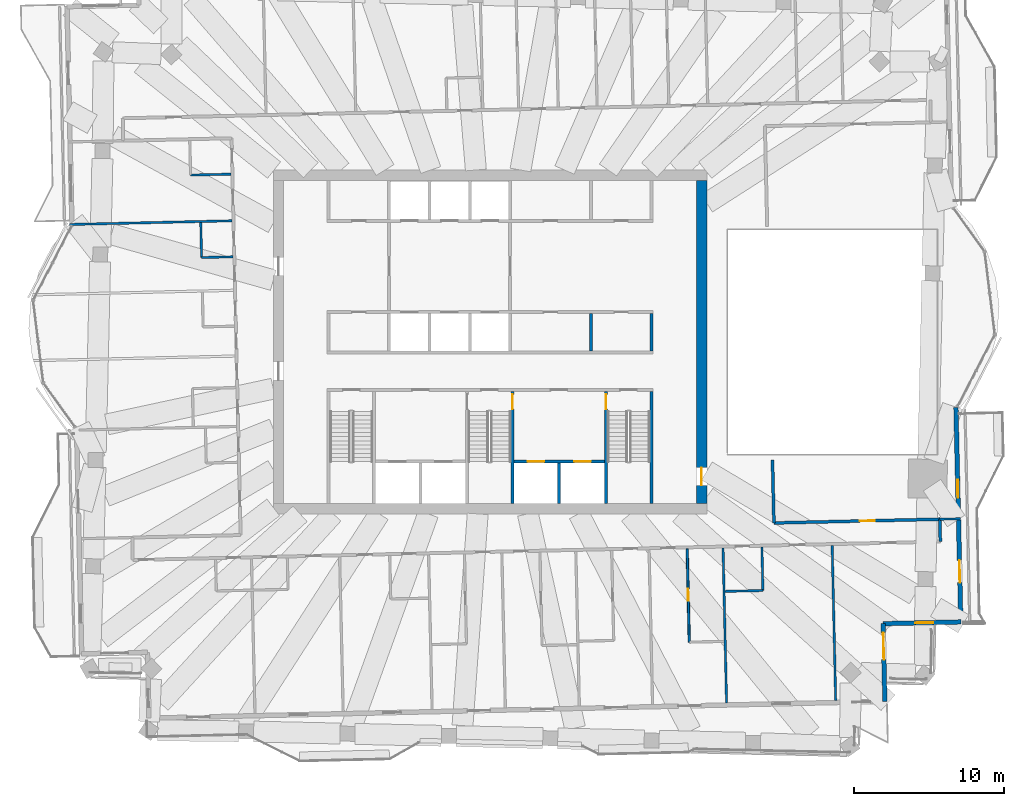
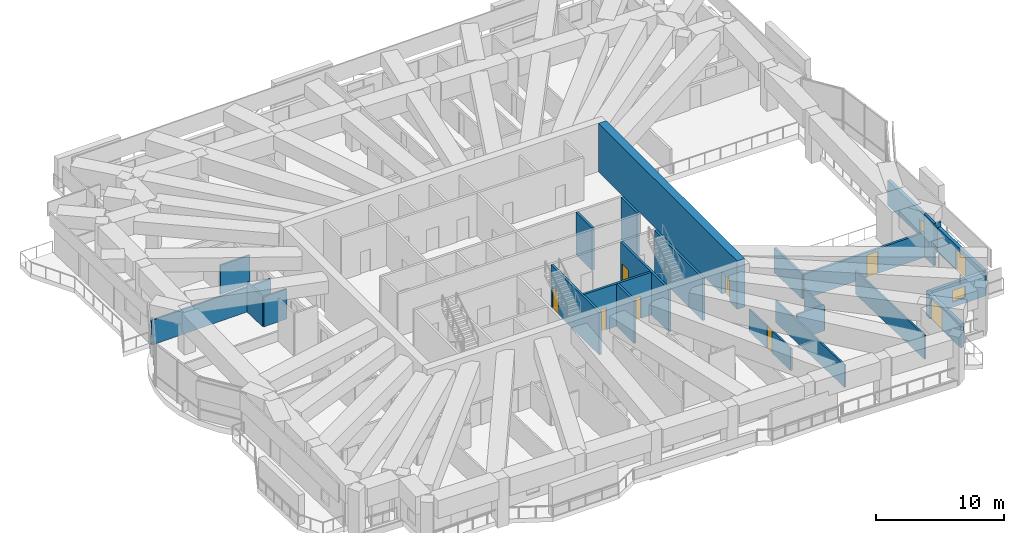
# One storey, part 14 of 21: 24 walls, 9 doors, 2 windows, 11 openings.
"""IFC4 building model written with IfcOpenShell, lengths in metres."""

import ifcopenshell
import ifcopenshell.guid

model = None  # the IFC model being written
_history = None  # IfcOwnerHistory: only IFC2X3 demands one
_inside = {}  # id of a spatial element -> (the spatial element, [elements in it])
_under = {}  # id of a project, library or spatial element -> (it, [spatial elements below it])
_declared = {}  # id of a project -> (the project, [libraries it declares])
_typed = {}  # id of a type object -> (the type object, [elements of that type])
_made_of = {}  # id of a material, layer set ... -> (it, [elements and type objects made of it])


def new_model(schema):
    """Start an empty IFC model of exactly this schema.

    Asked for "IFC4X3", IfcOpenShell would pick the latest addendum, in which some entities
    have other attributes; the version numbers below select the first issue.
    IFC2X3 requires an IfcOwnerHistory on every rooted entity: one is made here for all.
    """
    global model, _history
    if schema == "IFC4X3":
        model = ifcopenshell.file(schema_version=(4, 3, 0, 0))
    else:
        model = ifcopenshell.file(schema=schema)
    _inside.clear()
    _under.clear()
    _declared.clear()
    _typed.clear()
    _made_of.clear()
    _history = None
    if model.schema == "IFC2X3":
        org = make("IfcOrganization", Name="unknown")
        user = make(
            "IfcPersonAndOrganization",
            ThePerson=make("IfcPerson", FamilyName="unknown"),
            TheOrganization=org,
        )
        app = make(
            "IfcApplication",
            ApplicationDeveloper=org,
            Version="unknown",
            ApplicationFullName="unknown",
            ApplicationIdentifier="unknown",
        )
        _history = make(
            "IfcOwnerHistory",
            OwningUser=user,
            OwningApplication=app,
            ChangeAction="ADDED",
            CreationDate=0,
        )
    return model


def make(cls, **values):
    """One entity of the class cls with the attributes given. An attribute that is None is left unset."""
    return model.create_entity(
        cls, **{name: value for name, value in values.items() if value is not None}
    )


def rooted(cls, **values):
    """An entity with a GlobalId (a new one), such as an element, a storey or a relation."""
    return make(cls, GlobalId=ifcopenshell.guid.new(), OwnerHistory=_history, **values)


def si_unit(unit_type, name, prefix=None):
    """IfcSIUnit, for example si_unit("LENGTHUNIT", "METRE", prefix="MILLI")."""
    return make("IfcSIUnit", UnitType=unit_type, Prefix=prefix, Name=name)


def assignment(units):
    """IfcUnitAssignment: the units of a project."""
    return None if units is None else make("IfcUnitAssignment", Units=units)


def point(xyz):
    """IfcCartesianPoint."""
    return None if xyz is None else make("IfcCartesianPoint", Coordinates=xyz)


def direction(xyz):
    """IfcDirection."""
    return None if xyz is None else make("IfcDirection", DirectionRatios=xyz)


def frame(location, z_axis=None, x_axis=None):
    """IfcAxis2Placement3D, a coordinate frame: its origin and axes. An axis left out is left unset."""
    return make(
        "IfcAxis2Placement3D",
        Location=point(location),
        Axis=direction(z_axis),
        RefDirection=direction(x_axis),
    )


def frame_2d(location, x_axis=None):
    """IfcAxis2Placement2D, a coordinate frame in the plane: its origin and x axis."""
    return make(
        "IfcAxis2Placement2D", Location=point(location), RefDirection=direction(x_axis)
    )


def origin():
    """The frame at (0, 0, 0) with its axes left unset."""
    return frame((0.0, 0.0, 0.0))


def place(relative_to, where):
    """IfcLocalPlacement: puts the frame where relative to a parent placement (None: the world)."""
    return make(
        "IfcLocalPlacement", PlacementRelTo=relative_to, RelativePlacement=where
    )


def context(
    kind, dimensions, precision=None, world=None, true_north=None, identifier=None
):
    """IfcGeometricRepresentationContext, for example the 3D "Model" context."""
    return make(
        "IfcGeometricRepresentationContext",
        ContextIdentifier=identifier,
        ContextType=kind,
        CoordinateSpaceDimension=dimensions,
        Precision=precision,
        WorldCoordinateSystem=world,
        TrueNorth=true_north,
    )


def subcontext(parent, identifier, kind, view, scale=None):
    """IfcGeometricRepresentationSubContext, for example "Body" below "Model"."""
    return make(
        "IfcGeometricRepresentationSubContext",
        ContextIdentifier=identifier,
        ContextType=kind,
        ParentContext=parent,
        TargetScale=scale,
        TargetView=view,
    )


def project(units=None, contexts=None):
    """IfcProject with its units and contexts."""
    return rooted(
        "IfcProject",
        Name="project",
        RepresentationContexts=contexts,
        UnitsInContext=assignment(units),
    )


def spatial(cls, under=None, at=None, **own):
    """A site, building, storey or space (cls), placed at a placement, below another one or the project."""
    s = rooted(cls, ObjectPlacement=at, **own)
    if under is not None:
        _under.setdefault(under.id(), (under, []))[1].append(s)
    return s


def profile(cls, at=None, kind="AREA", **sizes):
    """A parametric profile (cls). Its sizes go by their IFC names, for example OverallWidth=200.0."""
    return make(cls, ProfileType=kind, Position=at, **sizes)


def rectangle(**sizes):
    """IfcRectangleProfileDef."""
    return profile("IfcRectangleProfileDef", **sizes)


def extrude(swept, where, along, depth):
    """IfcExtrudedAreaSolid: the profile swept, set in the frame where, extruded along a direction by depth."""
    return make(
        "IfcExtrudedAreaSolid",
        SweptArea=swept,
        Position=where,
        ExtrudedDirection=direction(along),
        Depth=depth,
    )


def shape(context_of_items, identifier, shape_type, items):
    """IfcShapeRepresentation: the items that make up one representation, for example the "Body"."""
    return make(
        "IfcShapeRepresentation",
        ContextOfItems=context_of_items,
        RepresentationIdentifier=identifier,
        RepresentationType=shape_type,
        Items=items,
    )


def material(Name=None, Category=None):
    """IfcMaterial."""
    return make("IfcMaterial", Name=Name, Category=Category)


def layer(
    of_material, thickness, ventilated=None, Name=None, Category=None, Priority=None
):
    """IfcMaterialLayer: one layer of a wall or slab, of a material (None: an air gap)."""
    return make(
        "IfcMaterialLayer",
        Material=of_material,
        LayerThickness=thickness,
        IsVentilated=ventilated,
        Name=Name,
        Category=Category,
        Priority=Priority,
    )


def layer_set(layers, Name=None):
    """IfcMaterialLayerSet."""
    return make("IfcMaterialLayerSet", MaterialLayers=layers, LayerSetName=Name)


def made_of(thing, what):
    """Note that an element or type object is made of a material, layer set ...; save() writes the relation."""
    if what is not None:
        _made_of.setdefault(what.id(), (what, []))[1].append(thing)
    return thing


def type_object(cls, material=None, **own):
    """A type object (cls), such as IfcWallType, which elements share."""
    return made_of(rooted(cls, **own), material)


def element(
    cls,
    number,
    at=None,
    inside=None,
    cuts=None,
    type_object=None,
    material=None,
    context=None,
    identifier="Body",
    shape_type=None,
    held_by="IfcProductDefinitionShape",
    body=None,
    shapes=None,
    **own,
):
    """One element of the class cls, such as IfcWall. Its Tag is "e" and its number.

    at: its placement. inside: the storey or other place that contains it. cuts: it is an
    opening in that element (IfcRelVoidsElement). A single representation is given by context,
    identifier, shape_type and body (its items); several are given by shapes. held_by: the class
    of the entity that holds the representations. save() writes the other relations.
    """
    e = rooted(cls, Tag="e%d" % number, ObjectPlacement=at, **own)
    if body is not None:
        shapes = [shape(context, identifier, shape_type, body)]
    if shapes is not None:
        e.Representation = make(held_by, Representations=shapes)
    if inside is not None:
        _inside.setdefault(inside.id(), (inside, []))[1].append(e)
    if cuts is not None:
        rooted(
            "IfcRelVoidsElement", RelatingBuildingElement=cuts, RelatedOpeningElement=e
        )
    if type_object is not None:
        _typed.setdefault(type_object.id(), (type_object, []))[1].append(e)
    return made_of(e, material)


def fill(opening, filler):
    """IfcRelFillsElement: the door or window that sits in an opening."""
    return rooted(
        "IfcRelFillsElement",
        RelatingOpeningElement=opening,
        RelatedBuildingElement=filler,
    )


def aggregate(whole, parts):
    """IfcRelAggregates: a whole, such as a stair, and the parts it consists of."""
    return rooted("IfcRelAggregates", RelatingObject=whole, RelatedObjects=parts)


def save(model, path):
    """Write the relations noted so far, then the file.

    IfcRelAggregates (storeys below a building ...), IfcRelContainedInSpatialStructure (elements
    in a storey), IfcRelDefinesByType, IfcRelAssociatesMaterial and IfcRelDeclares: one each for
    every whole, place, type object, material and project.
    """
    for whole, parts in _under.values():
        aggregate(whole, parts)
    for where, things in _inside.values():
        rooted(
            "IfcRelContainedInSpatialStructure",
            RelatedElements=things,
            RelatingStructure=where,
        )
    for kind, things in _typed.values():
        rooted("IfcRelDefinesByType", RelatedObjects=things, RelatingType=kind)
    for what, things in _made_of.values():
        rooted("IfcRelAssociatesMaterial", RelatedObjects=things, RelatingMaterial=what)
    for by, libraries in _declared.values():
        rooted("IfcRelDeclares", RelatingContext=by, RelatedDefinitions=libraries)
    model.write(path)


model = new_model("IFC4")

# Units and contexts
model_context = context("Model", 3, precision=1e-05, world=origin(), true_north=direction((0.0, 1.0)))
body_context = subcontext(model_context, "Body", "Model", "MODEL_VIEW")
ifc_project = project(units=[si_unit("LENGTHUNIT", "METRE"), si_unit("AREAUNIT", "SQUARE_METRE"), si_unit("VOLUMEUNIT", "CUBIC_METRE"), si_unit("PLANEANGLEUNIT", "RADIAN"), si_unit("MASSUNIT", "GRAM", prefix="KILO")], contexts=[model_context])

# Site, building, storey
site_placement = place(None, origin())
site = spatial("IfcSite", under=ifc_project, at=site_placement, CompositionType="ELEMENT")
building_placement = place(site_placement, origin())
building = spatial("IfcBuilding", under=site, at=building_placement, Name="Mangrove Gate Tower", CompositionType="ELEMENT")
storey_placement = place(building_placement, frame((0.0, 0.0, 275.300048828125)))
storey = spatial("IfcBuildingStorey", under=building, at=storey_placement, Name="L70", CompositionType="ELEMENT", Elevation=275.300048828125)

# Walls
ifc_material_1 = material(Name="Concrete C32/40", Category="concrete")
ifc_layer_1 = layer(ifc_material_1, 0.199951171875)
ifc_layer_set_1 = layer_set([ifc_layer_1], Name="Core room wall 200 C32/40")
wall_type_1 = type_object("IfcWallType", Name="Core room wall 200 C32/40", PredefinedType="STANDARD", material=ifc_layer_set_1)
for number, where, z_axis, x_axis, name in (
    (1, (6.75, -0.60009765625, 0.0), (0.0, 0.0, 1.0), (0.0, 1.0, 0.0), "WALL-L70-CORE-24"),
    (2, (10.800048828125, -0.60009765625, 0.0), (0.0, 0.0, 1.0), (0.0, 1.0, 0.0), "WALL-L70-CORE-25"),
):
    element("IfcWall", number, at=place(storey_placement, frame(where, z_axis=z_axis, x_axis=x_axis)), inside=storey, type_object=wall_type_1, Name=name, PredefinedType="STANDARD", context=body_context, shape_type="SweptSolid", body=[
        extrude(rectangle(XDim=2.5, YDim=0.199951171875, at=frame_2d((1.25, 0.0))), origin(), (0.0, 0.0, 1.0), 4.050048828125),
    ])

# Wall, openings, doors
ifc_material_2 = material(Name="Concrete C50/60", Category="concrete")
ifc_layer_2 = layer(ifc_material_2, 0.199951171875)
ifc_layer_set_2 = layer_set([ifc_layer_2], Name="Core shaft wall 200 C50/60")
wall_type_2 = type_object("IfcWallType", Name="Core shaft wall 200 C50/60", PredefinedType="SHEAR", material=ifc_layer_set_2)
wall_1_placement = place(storey_placement, frame((1.60009765625, -8.0, 0.0), z_axis=(0.0, 0.0, 1.0), x_axis=(1.0, 0.0, 0.0)))
wall_1 = element("IfcWall", 3, at=wall_1_placement, inside=storey, type_object=wall_type_2, Name="WALL-L70-CORE-17", PredefinedType="SHEAR", context=body_context, shape_type="SweptSolid", body=[
    extrude(rectangle(XDim=6.0498046875, YDim=0.199951171875, at=frame_2d((3.02490234375, 0.0))), origin(), (0.0, 0.0, 1.0), 4.050048828125),
])
opening_1_placement = place(wall_1_placement, frame((0.91259765625, 0.0, 0.0)))
opening_1 = element("IfcOpeningElement", 4, at=opening_1_placement, cuts=wall_1, Name="Opening LD", PredefinedType="OPENING", context=body_context, shape_type="SweptSolid", body=[
    extrude(rectangle(XDim=1.10009765625, YDim=2.10009765625, at=frame_2d((0.550048828125, 1.050048828125))), frame((0.0, 0.10986328125, 0.0), z_axis=(0.0, -1.0, 0.0), x_axis=(1.0, 0.0, 0.0)), (0.0, 0.0, 1.0), 0.219970703125),
])
opening_2_placement = place(wall_1_placement, frame((4.03759765625, 0.0, 0.0)))
opening_2 = element("IfcOpeningElement", 5, at=opening_2_placement, cuts=wall_1, Name="Opening LD", PredefinedType="OPENING", context=body_context, shape_type="SweptSolid", body=[
    extrude(rectangle(XDim=1.10009765625, YDim=2.10009765625, at=frame_2d((0.550048828125, 1.050048828125))), frame((0.0, 0.10986328125, 0.0), z_axis=(0.0, -1.0, 0.0), x_axis=(1.0, 0.0, 0.0)), (0.0, 0.0, 1.0), 0.219970703125),
])
ifc_material_3 = material(Name="Stainless steel 316", Category="steel")
door_type_1 = type_object("IfcDoorType", Name="Lift landing door 1100x2100", OperationType="SLIDING_TO_LEFT", PredefinedType="DOOR", material=ifc_material_3)
door_1_placement = place(opening_1_placement, origin())
door_1 = element("IfcDoor", 6, at=door_1_placement, inside=storey, type_object=door_type_1, Name="Landing door LD FFL1", OperationType="SLIDING_TO_LEFT", OverallHeight=2.10009765625, OverallWidth=1.10009765625, PredefinedType="DOOR", context=body_context, shape_type="SweptSolid", body=[
    extrude(rectangle(XDim=1.10009765625, YDim=2.10009765625, at=frame_2d((0.550048828125, 1.050048828125))), frame((0.0, 0.02490234375, 0.0), z_axis=(0.0, -1.0, 0.0), x_axis=(1.0, 0.0, 0.0)), (0.0, 0.0, 1.0), 0.050048828125),
])
fill(opening_1, door_1)
door_2_placement = place(opening_2_placement, origin())
door_2 = element("IfcDoor", 7, at=door_2_placement, inside=storey, type_object=door_type_1, Name="Landing door LD FFL2", OperationType="SLIDING_TO_LEFT", OverallHeight=2.10009765625, OverallWidth=1.10009765625, PredefinedType="DOOR", context=body_context, shape_type="SweptSolid", body=[
    extrude(rectangle(XDim=1.10009765625, YDim=2.10009765625, at=frame_2d((0.550048828125, 1.050048828125))), frame((0.0, 0.02490234375, 0.0), z_axis=(0.0, -1.0, 0.0), x_axis=(1.0, 0.0, 0.0)), (0.0, 0.0, 1.0), 0.050048828125),
])
fill(opening_2, door_2)

# Wall
wall_2_placement = place(storey_placement, frame((4.625, -10.800048828125, 0.0), z_axis=(0.0, 0.0, 1.0), x_axis=(0.0, 1.0, 0.0)))
element("IfcWall", 8, at=wall_2_placement, inside=storey, type_object=wall_type_2, Name="WALL-L70-CORE-18", PredefinedType="SHEAR", context=body_context, shape_type="SweptSolid", body=[
    extrude(rectangle(XDim=2.699951171875, YDim=0.199951171875, at=frame_2d((1.35009765625, 0.0))), origin(), (0.0, 0.0, 1.0), 4.050048828125),
])

# Wall, opening, door
ifc_material_4 = material(Name="Concrete C50/60", Category="concrete")
ifc_layer_3 = layer(ifc_material_4, 0.199951171875)
ifc_layer_set_3 = layer_set([ifc_layer_3], Name="Core stair wall 200 C50/60")
wall_type_3 = type_object("IfcWallType", Name="Core stair wall 200 C50/60", PredefinedType="SHEAR", material=ifc_layer_set_3)
wall_3_placement = place(storey_placement, frame((1.5, -10.800048828125, 0.0), z_axis=(0.0, 0.0, 1.0), x_axis=(0.0, 1.0, 0.0)))
wall_3 = element("IfcWall", 9, at=wall_3_placement, inside=storey, type_object=wall_type_3, Name="WALL-L70-CORE-12", PredefinedType="SHEAR", context=body_context, shape_type="SweptSolid", body=[
    extrude(rectangle(XDim=7.5, YDim=0.199951171875, at=frame_2d((3.75, 0.0))), origin(), (0.0, 0.0, 1.0), 4.050048828125),
])
opening_3_placement = place(wall_3_placement, frame((6.300048828125, 0.0, 0.0)))
opening_3 = element("IfcOpeningElement", 10, at=opening_3_placement, cuts=wall_3, Name="Opening STD10", PredefinedType="OPENING", context=body_context, shape_type="SweptSolid", body=[
    extrude(rectangle(XDim=1.0, YDim=2.10009765625, at=frame_2d((0.5, 1.050048828125))), frame((0.0, 0.10986328125, 0.0), z_axis=(0.0, -1.0, 0.0), x_axis=(1.0, 0.0, 0.0)), (0.0, 0.0, 1.0), 0.219970703125),
])
ifc_material_5 = material(Name="Fire-rated steel door set", Category="steel")
door_type_2 = type_object("IfcDoorType", Name="Stair door FD60 1000x2100", OperationType="SINGLE_SWING_RIGHT", PredefinedType="DOOR", material=ifc_material_5)
door_3_placement = place(opening_3_placement, origin())
door_3 = element("IfcDoor", 11, at=door_3_placement, inside=storey, type_object=door_type_2, Name="Stair door Stair 2 from fire-fighting lobby", OperationType="SINGLE_SWING_RIGHT", OverallHeight=2.10009765625, OverallWidth=1.0, PredefinedType="DOOR", context=body_context, shape_type="SweptSolid", body=[
    extrude(rectangle(XDim=1.0, YDim=2.10009765625, at=frame_2d((0.5, 1.050048828125))), frame((0.0, 0.02490234375, 0.0), z_axis=(0.0, -1.0, 0.0), x_axis=(1.0, 0.0, 0.0)), (0.0, 0.0, 1.0), 0.050048828125),
])
fill(opening_3, door_3)

wall_4_placement = place(storey_placement, frame((7.75, -10.800048828125, 0.0), z_axis=(0.0, 0.0, 1.0), x_axis=(0.0, 1.0, 0.0)))
wall_4 = element("IfcWall", 12, at=wall_4_placement, inside=storey, type_object=wall_type_3, Name="WALL-L70-CORE-13", PredefinedType="SHEAR", context=body_context, shape_type="SweptSolid", body=[
    extrude(rectangle(XDim=7.5, YDim=0.199951171875, at=frame_2d((3.75, 0.0))), origin(), (0.0, 0.0, 1.0), 4.050048828125),
])
opening_4_placement = place(wall_4_placement, frame((6.300048828125, 0.0, 0.0)))
opening_4 = element("IfcOpeningElement", 13, at=opening_4_placement, cuts=wall_4, Name="Opening STD10", PredefinedType="OPENING", context=body_context, shape_type="SweptSolid", body=[
    extrude(rectangle(XDim=1.0, YDim=2.10009765625, at=frame_2d((0.5, 1.050048828125))), frame((0.0, 0.10986328125, 0.0), z_axis=(0.0, -1.0, 0.0), x_axis=(1.0, 0.0, 0.0)), (0.0, 0.0, 1.0), 0.219970703125),
])
door_4_placement = place(opening_4_placement, origin())
door_4 = element("IfcDoor", 14, at=door_4_placement, inside=storey, type_object=door_type_2, Name="Stair door Stair 3 from fire-fighting lobby", OperationType="SINGLE_SWING_RIGHT", OverallHeight=2.10009765625, OverallWidth=1.0, PredefinedType="DOOR", context=body_context, shape_type="SweptSolid", body=[
    extrude(rectangle(XDim=1.0, YDim=2.10009765625, at=frame_2d((0.5, 1.050048828125))), frame((0.0, 0.02490234375, 0.0), z_axis=(0.0, -1.0, 0.0), x_axis=(1.0, 0.0, 0.0)), (0.0, 0.0, 1.0), 0.050048828125),
])
fill(opening_4, door_4)

# Wall
wall_5_placement = place(storey_placement, frame((10.800048828125, -10.800048828125, 0.0), z_axis=(0.0, 0.0, 1.0), x_axis=(0.0, 1.0, 0.0)))
element("IfcWall", 15, at=wall_5_placement, inside=storey, type_object=wall_type_3, Name="WALL-L70-CORE-14", PredefinedType="SHEAR", context=body_context, shape_type="SweptSolid", body=[
    extrude(rectangle(XDim=7.5, YDim=0.199951171875, at=frame_2d((3.75, 0.0))), origin(), (0.0, 0.0, 1.0), 4.050048828125),
])

# Wall, opening, door
ifc_material_6 = material(Name="Concrete C50/60", Category="concrete")
ifc_layer_4 = layer(ifc_material_6, 0.699951171875)
ifc_layer_set_4 = layer_set([ifc_layer_4], Name="Core wall 700 C50/60")
wall_type_4 = type_object("IfcWallType", Name="Core wall 700 C50/60", PredefinedType="SHEAR", material=ifc_layer_set_4)
wall_6_placement = place(storey_placement, frame((14.14990234375, -10.800048828125, 0.0), z_axis=(0.0, 0.0, 1.0), x_axis=(0.0, 1.0, 0.0)))
wall_6 = element("IfcWall", 16, at=wall_6_placement, inside=storey, type_object=wall_type_4, Name="WALL-L70-CORE-4", PredefinedType="SHEAR", context=body_context, shape_type="SweptSolid", body=[
    extrude(rectangle(XDim=21.60009765625, YDim=0.699951171875, at=frame_2d((10.800048828125, 0.0))), origin(), (0.0, 0.0, 1.0), 4.599853515625),
])
opening_5_placement = place(wall_6_placement, frame((1.199951171875, 0.0, 0.0)))
opening_5 = element("IfcOpeningElement", 17, at=opening_5_placement, cuts=wall_6, Name="Opening CD", PredefinedType="OPENING", context=body_context, shape_type="SweptSolid", body=[
    extrude(rectangle(XDim=1.199951171875, YDim=2.10009765625, at=frame_2d((0.60009765625, 1.050048828125))), frame((0.0, 0.35986328125, 0.0), z_axis=(0.0, -1.0, 0.0), x_axis=(1.0, 0.0, 0.0)), (0.0, 0.0, 1.0), 0.719970703125),
])
ifc_material_7 = material(Name="Fire-rated steel door set", Category="steel")
door_type_3 = type_object("IfcDoorType", Name="Core ring door FD60 1200x2100", OperationType="DOUBLE_DOOR_SINGLE_SWING", PredefinedType="DOOR", material=ifc_material_7)
door_5_placement = place(opening_5_placement, origin())
door_5 = element("IfcDoor", 18, at=door_5_placement, inside=storey, type_object=door_type_3, Name="Core ring door E1", OperationType="DOUBLE_DOOR_SINGLE_SWING", OverallHeight=2.10009765625, OverallWidth=1.199951171875, PredefinedType="DOOR", context=body_context, shape_type="SweptSolid", body=[
    extrude(rectangle(XDim=1.199951171875, YDim=2.10009765625, at=frame_2d((0.60009765625, 1.050048828125))), frame((0.0, 0.02490234375, 0.0), z_axis=(0.0, -1.0, 0.0), x_axis=(1.0, 0.0, 0.0)), (0.0, 0.0, 1.0), 0.050048828125),
])
fill(opening_5, door_5)

# Wall
ifc_material_8 = material(Name="Gypsum board on steel stud, EI 60", Category="steel")
ifc_layer_5 = layer(ifc_material_8, 0.199951171875)
ifc_layer_set_5 = layer_set([ifc_layer_5], Name="Corridor wall EI 60")
wall_type_5 = type_object("IfcWallType", Name="Corridor wall EI 60", PredefinedType="PARTITIONING", material=ifc_layer_set_5)
wall_7_placement = place(storey_placement, frame((30.117919921875, -13.35693359375, 0.0), z_axis=(0.0, 0.0, 1.0), x_axis=(-0.022617910375, 0.999744182344, 0.0)))
element("IfcWall", 19, at=wall_7_placement, inside=storey, type_object=wall_type_5, Name="WALL-L70-026", PredefinedType="PARTITIONING", context=body_context, shape_type="SweptSolid", body=[
    extrude(rectangle(XDim=1.50048828125, YDim=0.199951171875, at=frame_2d((0.750244140625, 0.0))), origin(), (0.0, 0.0, 1.0), 4.050048828125),
])

# Wall, opening, door
wall_8_placement = place(storey_placement, frame((18.985107421875, -12.10888671875, 0.0), z_axis=(0.0, 0.0, 1.0), x_axis=(0.999742346277, 0.022698921993, 0.0)))
wall_8 = element("IfcWall", 20, at=wall_8_placement, inside=storey, type_object=wall_type_5, Name="WALL-L70-030", PredefinedType="PARTITIONING", context=body_context, shape_type="SweptSolid", body=[
    extrude(rectangle(XDim=11.099853515625, YDim=0.199951171875, at=frame_2d((5.5498046875, 0.0))), origin(), (0.0, 0.0, 1.0), 2.349853515625),
])
opening_6_placement = place(wall_8_placement, frame((5.75, 0.0, 0.0)))
opening_6 = element("IfcOpeningElement", 21, at=opening_6_placement, cuts=wall_8, Name="Opening AD", PredefinedType="OPENING", context=body_context, shape_type="SweptSolid", body=[
    extrude(rectangle(XDim=1.0, YDim=2.10009765625, at=frame_2d((0.5, 1.050048828125))), frame((0.0, 0.10986328125, 0.0), z_axis=(0.0, -1.0, 0.0), x_axis=(1.0, 0.0, 0.0)), (0.0, 0.0, 1.0), 0.219970703125),
])
ifc_material_9 = material(Name="Timber door leaf", Category="wood")
door_type_4 = type_object("IfcDoorType", Name="Amenity door 1000", OperationType="SINGLE_SWING_LEFT", PredefinedType="DOOR", material=ifc_material_9)
door_6_placement = place(opening_6_placement, origin())
door_6 = element("IfcDoor", 22, at=door_6_placement, inside=storey, type_object=door_type_4, Name="DOOR-L70-KIT-c3a", OperationType="SINGLE_SWING_RIGHT", OverallHeight=2.10009765625, OverallWidth=1.0, PredefinedType="DOOR", context=body_context, shape_type="SweptSolid", body=[
    extrude(rectangle(XDim=1.0, YDim=2.10009765625, at=frame_2d((0.5, 1.050048828125))), frame((0.0, 0.02490234375, 0.0), z_axis=(0.0, -1.0, 0.0), x_axis=(1.0, 0.0, 0.0)), (0.0, 0.0, 1.0), 0.050048828125),
])
fill(opening_6, door_6)

# Wall
wall_9_placement = place(storey_placement, frame((18.987060546875, -12.10888671875, 0.0), z_axis=(0.0, 0.0, 1.0), x_axis=(-0.022807092041, 0.999739884446, 0.0)))
element("IfcWall", 23, at=wall_9_placement, inside=storey, type_object=wall_type_5, Name="WALL-L70-031", PredefinedType="PARTITIONING", context=body_context, shape_type="SweptSolid", body=[
    extrude(rectangle(XDim=4.206787109375, YDim=0.199951171875, at=frame_2d((2.103515625, 0.0))), origin(), (0.0, 0.0, 1.0), 2.349853515625),
])

# Wall, openings, door, window
ifc_material_10 = material(Name="Limestone", Category="masonry")
ifc_layer_6 = layer(ifc_material_10, 0.0400390625, Name="Limestone cladding")
ifc_material_11 = material(Name="Ventilated air gap")
ifc_layer_7 = layer(ifc_material_11, 0.0400390625, Name="Ventilated cavity")
ifc_material_12 = material(Name="Mineral wool insulation")
ifc_layer_8 = layer(ifc_material_12, 0.06005859375, Name="Insulation")
ifc_material_13 = material(Name="Breather membrane")
ifc_layer_9 = layer(ifc_material_13, 0.001953125, Name="Breather membrane")
ifc_material_14 = material(Name="Concrete C20/25 blockwork", Category="masonry")
ifc_layer_10 = layer(ifc_material_14, 0.14990234375, Name="Blockwork backing wall")
ifc_material_15 = material(Name="Gypsum plaster")
ifc_layer_11 = layer(ifc_material_15, 0.008056640625, Name="Internal plaster")
ifc_layer_set_6 = layer_set([ifc_layer_6, ifc_layer_7, ifc_layer_8, ifc_layer_9, ifc_layer_10, ifc_layer_11], Name="External wall 300 limestone cladding")
wall_type_6 = type_object("IfcWallType", Name="External wall 300 limestone cladding", PredefinedType="SOLIDWALL", material=ifc_layer_set_6)
wall_10_placement = place(storey_placement, frame((31.488037109375, -18.72705078125, 0.0), z_axis=(0.0, 0.0, 1.0), x_axis=(-0.022702091108, 0.999742274318, 0.0)))
wall_10 = element("IfcWall", 24, at=wall_10_placement, inside=storey, type_object=wall_type_6, Name="WALL-L70-E0", PredefinedType="SOLIDWALL", context=body_context, shape_type="SweptSolid", body=[
    extrude(rectangle(XDim=14.356689453125, YDim=0.300048828125, at=frame_2d((7.17822265625, 0.0))), origin(), (0.0, 0.0, 1.0), 2.349853515625),
])
opening_7_placement = place(wall_10_placement, frame((2.625, 0.0, 0.0)))
opening_7 = element("IfcOpeningElement", 25, at=opening_7_placement, cuts=wall_10, Name="Opening BD3", PredefinedType="OPENING", context=body_context, shape_type="SweptSolid", body=[
    extrude(rectangle(XDim=1.5, YDim=2.0, at=frame_2d((0.75, 1.0))), frame((0.0, 0.159912109375, 0.0), z_axis=(0.0, -1.0, 0.0), x_axis=(1.0, 0.0, 0.0)), (0.0, 0.0, 1.0), 0.320068359375),
])
opening_8_placement = place(wall_10_placement, frame((8.301025390625, 0.0, 0.5)))
opening_8 = element("IfcOpeningElement", 26, at=opening_8_placement, cuts=wall_10, Name="Opening W6", PredefinedType="OPENING", context=body_context, shape_type="SweptSolid", body=[
    extrude(rectangle(XDim=1.199951171875, YDim=1.10009765625, at=frame_2d((0.60009765625, 0.550048828125))), frame((0.0, 0.159912109375, 0.0), z_axis=(0.0, -1.0, 0.0), x_axis=(1.0, 0.0, 0.0)), (0.0, 0.0, 1.0), 0.320068359375),
])
ifc_material_16 = material(Name="Aluminium frame with laminated clear glass", Category="aluminium")
door_type_5 = type_object("IfcDoorType", Name="Balcony sliding door 1500x2000", OperationType="SLIDING_TO_LEFT", PredefinedType="DOOR", material=ifc_material_16)
door_7_placement = place(opening_7_placement, origin())
door_7 = element("IfcDoor", 27, at=door_7_placement, inside=storey, type_object=door_type_5, Name="DOOR-L70-E0-1", OperationType="SLIDING_TO_LEFT", OverallHeight=2.0, OverallWidth=1.5, PredefinedType="DOOR", context=body_context, shape_type="SweptSolid", body=[
    extrude(rectangle(XDim=1.5, YDim=2.0, at=frame_2d((0.75, 1.0))), frame((0.0, 0.02490234375, 0.0), z_axis=(0.0, -1.0, 0.0), x_axis=(1.0, 0.0, 0.0)), (0.0, 0.0, 1.0), 0.050048828125),
])
fill(opening_7, door_7)
ifc_material_17 = material(Name="Aluminium frame with double-glazed low-e glass", Category="aluminium")
window_type = type_object("IfcWindowType", Name="Low window 1200x1100", PartitioningType="SINGLE_PANEL", PredefinedType="WINDOW", material=ifc_material_17)
window_1_placement = place(opening_8_placement, origin())
window_1 = element("IfcWindow", 28, at=window_1_placement, inside=storey, type_object=window_type, Name="WIN-L70-E0-2", OverallHeight=1.10009765625, OverallWidth=1.199951171875, PartitioningType="SINGLE_PANEL", PredefinedType="WINDOW", context=body_context, shape_type="SweptSolid", body=[
    extrude(rectangle(XDim=1.199951171875, YDim=1.10009765625, at=frame_2d((0.60009765625, 0.550048828125))), frame((0.0, 0.030029296875, 0.0), z_axis=(0.0, -1.0, 0.0), x_axis=(1.0, 0.0, 0.0)), (0.0, 0.0, 1.0), 0.06005859375),
])
fill(opening_8, window_1)

# Wall, opening, door
wall_11_placement = place(storey_placement, frame((26.406982421875, -24.0439453125, 0.0), z_axis=(0.0, 0.0, 1.0), x_axis=(-0.022675548694, 0.99974287669, 0.0)))
wall_11 = element("IfcWall", 29, at=wall_11_placement, inside=storey, type_object=wall_type_6, Name="WALL-L70-E14", PredefinedType="SOLIDWALL", context=body_context, shape_type="SweptSolid", body=[
    extrude(rectangle(XDim=5.2001953125, YDim=0.300048828125, at=frame_2d((2.60009765625, 0.0))), origin(), (0.0, 0.0, 1.0), 2.25),
])
opening_9_placement = place(wall_11_placement, frame((2.794921875, 0.0, 0.0)))
opening_9 = element("IfcOpeningElement", 30, at=opening_9_placement, cuts=wall_11, Name="Opening TD2", PredefinedType="OPENING", context=body_context, shape_type="SweptSolid", body=[
    extrude(rectangle(XDim=1.800048828125, YDim=2.0, at=frame_2d((0.89990234375, 1.0))), frame((0.0, 0.159912109375, 0.0), z_axis=(0.0, -1.0, 0.0), x_axis=(1.0, 0.0, 0.0)), (0.0, 0.0, 1.0), 0.320068359375),
])
ifc_material_18 = material(Name="Aluminium frame with laminated clear glass", Category="aluminium")
door_type_6 = type_object("IfcDoorType", Name="Terrace door 1800x2000", OperationType="DOUBLE_DOOR_SINGLE_SWING", PredefinedType="DOOR", material=ifc_material_18)
door_8_placement = place(opening_9_placement, origin())
door_8 = element("IfcDoor", 31, at=door_8_placement, inside=storey, type_object=door_type_6, Name="DOOR-L70-E14-1", OperationType="DOUBLE_DOOR_SINGLE_SWING", OverallHeight=2.0, OverallWidth=1.800048828125, PredefinedType="DOOR", context=body_context, shape_type="SweptSolid", body=[
    extrude(rectangle(XDim=1.800048828125, YDim=2.0, at=frame_2d((0.89990234375, 1.0))), frame((0.0, 0.02490234375, 0.0), z_axis=(0.0, -1.0, 0.0), x_axis=(1.0, 0.0, 0.0)), (0.0, 0.0, 1.0), 0.050048828125),
])
fill(opening_9, door_8)

# Wall, opening, window
wall_12_placement = place(storey_placement, frame((26.2890625, -18.844970703125, 0.0), z_axis=(0.0, 0.0, 1.0), x_axis=(0.99974287669, 0.022675548694, 0.0)))
wall_12 = element("IfcWall", 32, at=wall_12_placement, inside=storey, type_object=wall_type_6, Name="WALL-L70-S15", PredefinedType="SOLIDWALL", context=body_context, shape_type="SweptSolid", body=[
    extrude(rectangle(XDim=5.2001953125, YDim=0.300048828125, at=frame_2d((2.60009765625, 0.0))), origin(), (0.0, 0.0, 1.0), 2.25),
])
opening_10_placement = place(wall_12_placement, frame((2.14990234375, 0.0, 0.5)))
opening_10 = element("IfcOpeningElement", 33, at=opening_10_placement, cuts=wall_12, Name="Opening W6", PredefinedType="OPENING", context=body_context, shape_type="SweptSolid", body=[
    extrude(rectangle(XDim=1.199951171875, YDim=1.10009765625, at=frame_2d((0.60009765625, 0.550048828125))), frame((0.0, 0.159912109375, 0.0), z_axis=(0.0, -1.0, 0.0), x_axis=(1.0, 0.0, 0.0)), (0.0, 0.0, 1.0), 0.320068359375),
])
window_2_placement = place(opening_10_placement, origin())
window_2 = element("IfcWindow", 34, at=window_2_placement, inside=storey, type_object=window_type, Name="WIN-L70-S15-1", OverallHeight=1.10009765625, OverallWidth=1.199951171875, PartitioningType="SINGLE_PANEL", PredefinedType="WINDOW", context=body_context, shape_type="SweptSolid", body=[
    extrude(rectangle(XDim=1.199951171875, YDim=1.10009765625, at=frame_2d((0.60009765625, 0.550048828125))), frame((0.0, 0.030029296875, 0.0), z_axis=(0.0, -1.0, 0.0), x_axis=(1.0, 0.0, 0.0)), (0.0, 0.0, 1.0), 0.06005859375),
])
fill(opening_10, window_2)

# Walls
ifc_material_19 = material(Name="Gypsum board on steel stud, EI 60", Category="steel")
ifc_layer_12 = layer(ifc_material_19, 0.14990234375)
ifc_layer_set_7 = layer_set([ifc_layer_12], Name="Party wall 150 EI 60")
wall_type_7 = type_object("IfcWallType", Name="Party wall 150 EI 60", PredefinedType="PARTITIONING", material=ifc_layer_set_7)
wall_13_placement = place(storey_placement, frame((15.819091796875, -24.134033203125, 0.0), z_axis=(0.0, 0.0, 1.0), x_axis=(-0.022716582742, 0.999741945138, 0.0)))
element("IfcWall", 35, at=wall_13_placement, inside=storey, type_object=wall_type_7, Name="WALL-L70-007", PredefinedType="PARTITIONING", context=body_context, shape_type="SweptSolid", body=[
    extrude(rectangle(XDim=10.349609375, YDim=0.14990234375, at=frame_2d((5.1748046875, 0.0))), origin(), (0.0, 0.0, 1.0), 2.099853515625),
])
wall_14_placement = place(storey_placement, frame((23.116943359375, -23.968994140625, 0.0), z_axis=(0.0, 0.0, 1.0), x_axis=(-0.022690865001, 0.999742529177, 0.0)))
element("IfcWall", 36, at=wall_14_placement, inside=storey, type_object=wall_type_7, Name="WALL-L70-008", PredefinedType="PARTITIONING", context=body_context, shape_type="SweptSolid", body=[
    extrude(rectangle(XDim=10.3505859375, YDim=0.14990234375, at=frame_2d((5.17529296875, 0.0))), origin(), (0.0, 0.0, 1.0), 2.25),
])

# Wall, opening, door
wall_15_placement = place(storey_placement, frame((13.325927734375, -20.080078125, 0.0), z_axis=(0.0, 0.0, 1.0), x_axis=(-0.02272940328, 0.999741653742, 0.0)))
wall_15 = element("IfcWall", 37, at=wall_15_placement, inside=storey, type_object=wall_type_7, Name="WALL-L70-011", PredefinedType="PARTITIONING", context=body_context, shape_type="SweptSolid", body=[
    extrude(rectangle(XDim=6.24072265625, YDim=0.14990234375, at=frame_2d((3.120361328125, 0.0))), origin(), (0.0, 0.0, 1.0), 2.099853515625),
])
opening_11_placement = place(wall_15_placement, frame((2.77001953125, 0.0, 0.0)))
opening_11 = element("IfcOpeningElement", 38, at=opening_11_placement, cuts=wall_15, Name="Opening ED", PredefinedType="OPENING", context=body_context, shape_type="SweptSolid", body=[
    extrude(rectangle(XDim=0.800048828125, YDim=2.10009765625, at=frame_2d((0.39990234375, 1.050048828125))), frame((0.0, 0.0849609375, 0.0), z_axis=(0.0, -1.0, 0.0), x_axis=(1.0, 0.0, 0.0)), (0.0, 0.0, 1.0), 0.169921875),
])
ifc_material_20 = material(Name="Timber door leaf", Category="wood")
door_type_7 = type_object("IfcDoorType", Name="En-suite door 800", OperationType="SINGLE_SWING_LEFT", PredefinedType="DOOR", material=ifc_material_20)
door_9_placement = place(opening_11_placement, origin())
door_9 = element("IfcDoor", 39, at=door_9_placement, inside=storey, type_object=door_type_7, Name="DOOR-L70-ENS-c304", OperationType="SINGLE_SWING_RIGHT", OverallHeight=2.10009765625, OverallWidth=0.800048828125, PredefinedType="DOOR", context=body_context, shape_type="SweptSolid", body=[
    extrude(rectangle(XDim=0.800048828125, YDim=2.10009765625, at=frame_2d((0.39990234375, 1.050048828125))), frame((0.0, 0.02490234375, 0.0), z_axis=(0.0, -1.0, 0.0), x_axis=(1.0, 0.0, 0.0)), (0.0, 0.0, 1.0), 0.050048828125),
])
fill(opening_11, door_9)

# Walls
wall_16_placement = place(storey_placement, frame((15.72705078125, -16.68408203125, 0.0), z_axis=(0.0, 0.0, 1.0), x_axis=(0.99974392816, 0.022629142889, 0.0)))
element("IfcWall", 40, at=wall_16_placement, inside=storey, type_object=wall_type_7, Name="WALL-L70-019", PredefinedType="PARTITIONING", context=body_context, shape_type="SweptSolid", body=[
    extrude(rectangle(XDim=2.524658203125, YDim=0.14990234375, at=frame_2d((1.26220703125, 0.0))), origin(), (0.0, 0.0, 1.0), 2.449951171875),
])
wall_17_placement = place(storey_placement, frame((18.2490234375, -16.626953125, 0.0), z_axis=(0.0, 0.0, 1.0), x_axis=(-0.022732880677, 0.999741574676, 0.0)))
element("IfcWall", 41, at=wall_17_placement, inside=storey, type_object=wall_type_7, Name="WALL-L70-020", PredefinedType="PARTITIONING", context=body_context, shape_type="SweptSolid", body=[
    extrude(rectangle(XDim=2.899658203125, YDim=0.14990234375, at=frame_2d((1.44970703125, 0.0))), origin(), (0.0, 0.0, 1.0), 2.25),
])
wall_18_placement = place(storey_placement, frame((30.077880859375, -11.85693359375, 0.0), z_axis=(0.0, 0.0, 1.0), x_axis=(0.999755917848, 0.022093092321, 0.0)))
element("IfcWall", 42, at=wall_18_placement, inside=storey, type_object=wall_type_7, Name="WALL-L70-032", PredefinedType="PARTITIONING", context=body_context, shape_type="SweptSolid", body=[
    extrude(rectangle(XDim=1.4033203125, YDim=0.14990234375, at=frame_2d((0.70166015625, 0.0))), origin(), (0.0, 0.0, 1.0), 2.849853515625),
])
wall_19_placement = place(storey_placement, frame((-19.301025390625, 5.64697265625, 0.0), z_axis=(0.0, 0.0, 1.0), x_axis=(0.999748159451, 0.022441427631, 0.0)))
element("IfcWall", 43, at=wall_19_placement, inside=storey, type_object=wall_type_7, Name="WALL-L70-042", PredefinedType="PARTITIONING", context=body_context, shape_type="SweptSolid", body=[
    extrude(rectangle(XDim=2.099609375, YDim=0.14990234375, at=frame_2d((1.0498046875, 0.0))), origin(), (0.0, 0.0, 1.0), 2.849853515625),
])
wall_20_placement = place(storey_placement, frame((-19.2958984375, 5.652099609375, 0.0), z_axis=(0.0, 0.0, 1.0), x_axis=(-0.022895561926, 0.999737862264, 0.0)))
element("IfcWall", 44, at=wall_20_placement, inside=storey, type_object=wall_type_7, Name="WALL-L70-043", PredefinedType="PARTITIONING", context=body_context, shape_type="SweptSolid", body=[
    extrude(rectangle(XDim=2.324462890625, YDim=0.14990234375, at=frame_2d((1.162109375, 0.0))), origin(), (0.0, 0.0, 1.0), 2.849853515625),
])
wall_21_placement = place(storey_placement, frame((-28.115966796875, 7.85693359375, 0.0), z_axis=(0.0, 0.0, 1.0), x_axis=(0.999741301527, 0.022744890004, 0.0)))
element("IfcWall", 45, at=wall_21_placement, inside=storey, type_object=wall_type_7, Name="WALL-L70-045", PredefinedType="PARTITIONING", context=body_context, shape_type="SweptSolid", body=[
    extrude(rectangle(XDim=10.86279296875, YDim=0.14990234375, at=frame_2d((5.431396484375, 0.0))), origin(), (0.0, 0.0, 1.0), 2.349853515625),
])
wall_22_placement = place(storey_placement, frame((-20.02587890625, 11.162109375, 0.0), z_axis=(0.0, 0.0, 1.0), x_axis=(0.999746436932, 0.022518033722, 0.0)))
element("IfcWall", 46, at=wall_22_placement, inside=storey, type_object=wall_type_7, Name="WALL-L70-047", PredefinedType="PARTITIONING", context=body_context, shape_type="SweptSolid", body=[
    extrude(rectangle(XDim=2.69970703125, YDim=0.14990234375, at=frame_2d((1.349853515625, 0.0))), origin(), (0.0, 0.0, 1.0), 2.75),
])

save(model, "model.ifc")
